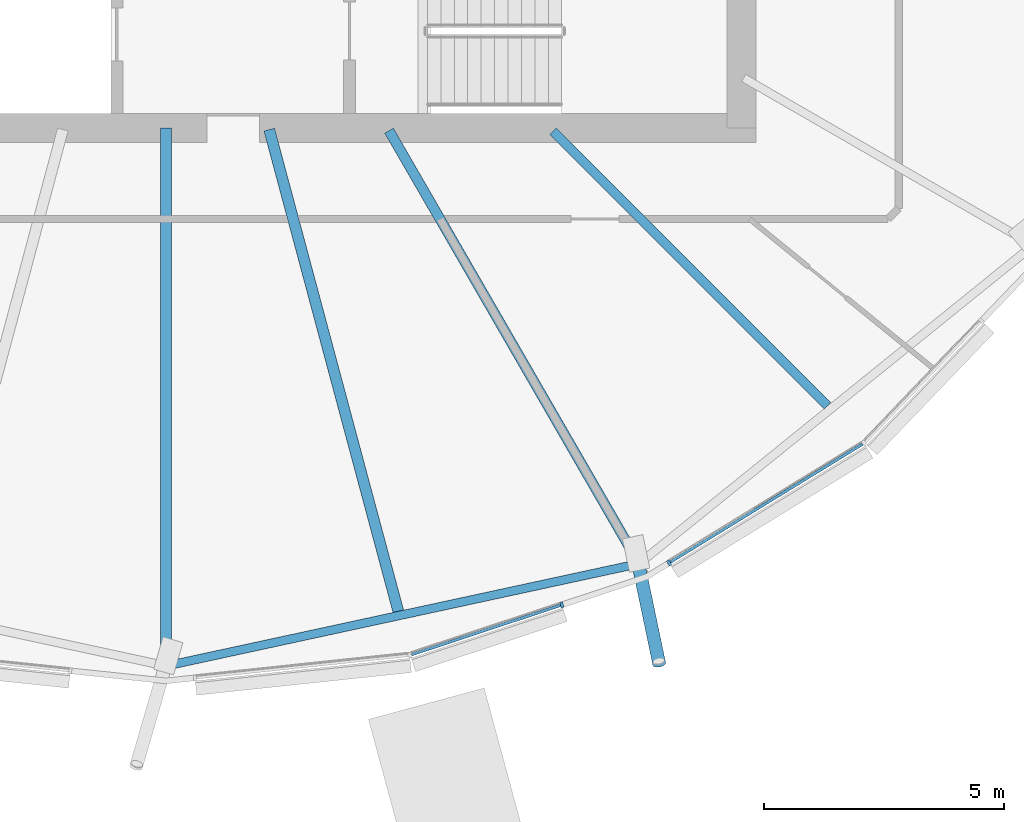
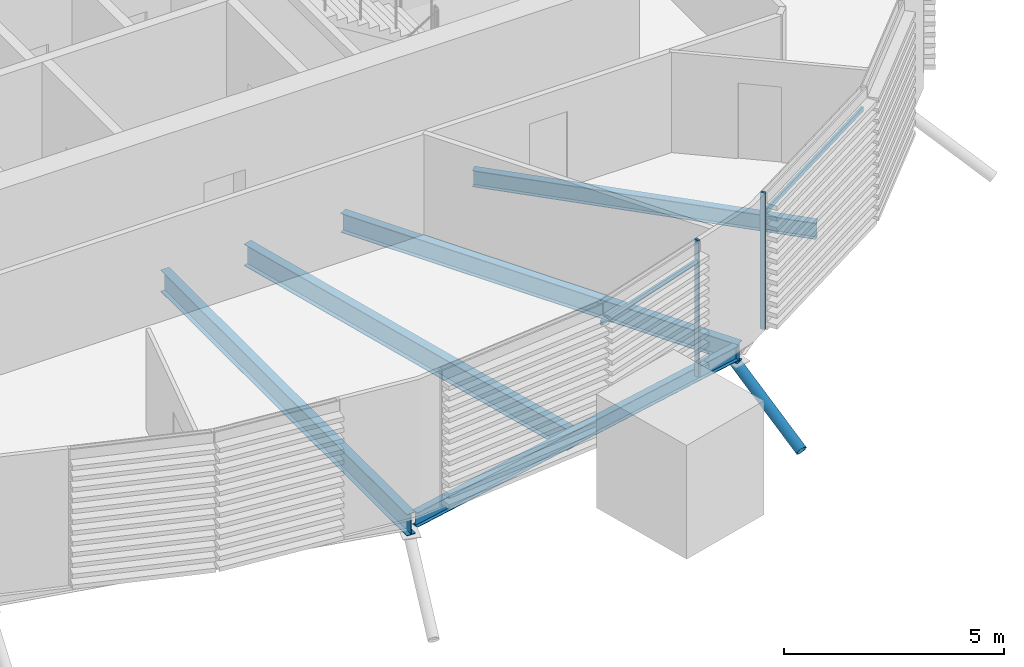
# One storey, part 4 of 38: 5 beams, 5 members, 1 element without a shape of its own.
"""IFC4 building model written with IfcOpenShell, lengths in metres."""

from ifc_helpers import new_model, si_unit, direction, frame, origin, origin_2d, place, context, subcontext, project, spatial, rectangle, hollow_circle, i_section, extrude, clip, halfspace, material, material_profile, profile_set, type_object, element, aggregate, save


model = new_model("IFC4")

# Units and contexts
model_context = context("Model", 3, precision=1e-05, world=origin(), true_north=direction((0.0, 1.0)))
body_context = subcontext(model_context, "Body", "Model", "MODEL_VIEW")
ifc_project = project(units=[si_unit("LENGTHUNIT", "METRE"), si_unit("AREAUNIT", "SQUARE_METRE"), si_unit("VOLUMEUNIT", "CUBIC_METRE"), si_unit("PLANEANGLEUNIT", "RADIAN"), si_unit("MASSUNIT", "GRAM", prefix="KILO")], contexts=[model_context])

# Site, building, storey
site_placement = place(None, origin())
site = spatial("IfcSite", under=ifc_project, at=site_placement, CompositionType="ELEMENT")
building_placement = place(site_placement, origin())
building = spatial("IfcBuilding", under=site, at=building_placement, Name="Rimbun Link Towers", CompositionType="ELEMENT")
storey_placement = place(building_placement, frame((0.0, 0.0, 185.5)))
storey = spatial("IfcBuildingStorey", under=building, at=storey_placement, Name="L45", CompositionType="ELEMENT", Elevation=185.5)

# Curtain wall, members
ifc_material_1 = material(Name="Aluminium 6063-T6 and low-iron glass", Category="aluminium")
curtain_wall_type = type_object("IfcCurtainWallType", Name="CW1-Z3 unitised vision wall (zone 3)", PredefinedType="NOTDEFINED", material=ifc_material_1)
curtain_wall_placement = place(storey_placement, origin())
curtain_wall = element("IfcCurtainWall", 1, at=curtain_wall_placement, inside=storey, type_object=curtain_wall_type, Name="CW1 L45 T1", PredefinedType="NOTDEFINED")
ifc_material_2 = material(Name="Aluminium 6063-T6", Category="aluminium")
ifc_material_profile_1 = material_profile(ifc_material_2, rectangle(XDim=0.1201171875, YDim=0.06005859375, at=origin_2d()), Name="MULLION 60X120")
ifc_profile_set_1 = profile_set([ifc_material_profile_1], Name="Aluminium 6063-T6")
member_type_1 = type_object("IfcMemberType", Name="CW1 mullion 60X120", PredefinedType="MULLION", material=ifc_profile_set_1)
member_1_placement = place(storey_placement, frame((-23.498046875, -17.9404296875, 0.0), z_axis=(0.0, 0.0, 1.0), x_axis=(0.314564968894, -0.949235945561, 0.0)))
member_1 = element("IfcMember", 2, at=member_1_placement, type_object=member_type_1, Name="CW1 mullion", PredefinedType="MULLION", context=body_context, shape_type="SweptSolid", body=[
    extrude(rectangle(XDim=0.1201171875, YDim=0.06005859375, at=origin_2d()), origin(), (0.0, 0.0, 1.0), 3.800048828125),
])
member_2_placement = place(storey_placement, frame((-21.2607421875, -17.06494140625, 0.0), z_axis=(0.0, 0.0, 1.0), x_axis=(0.523234516531, -0.852188735381, 0.0)))
member_2 = element("IfcMember", 3, at=member_2_placement, type_object=member_type_1, Name="CW1 mullion", PredefinedType="MULLION", context=body_context, shape_type="SweptSolid", body=[
    extrude(rectangle(XDim=0.1201171875, YDim=0.06005859375, at=origin_2d()), origin(), (0.0, 0.0, 1.0), 3.800048828125),
])
ifc_material_3 = material(Name="Aluminium 6063-T6", Category="aluminium")
ifc_material_profile_2 = material_profile(ifc_material_3, rectangle(XDim=0.06005859375, YDim=0.1201171875, at=origin_2d()), Name="TRANSOM 60X120")
ifc_profile_set_2 = profile_set([ifc_material_profile_2], Name="Aluminium 6063-T6")
member_type_2 = type_object("IfcMemberType", Name="CW1 transom 60X120", PredefinedType="USERDEFINED", material=ifc_profile_set_2)
member_3_placement = place(storey_placement, frame((-23.527099609375, -17.947998046875, 3.199951171875), z_axis=(-0.949234381541, -0.314569688463, 0.0), x_axis=(0.314569688463, -0.949234381541, 0.0)))
member_3 = element("IfcMember", 4, at=member_3_placement, type_object=member_type_2, Name="CW1 transom", ObjectType="TRANSOM", PredefinedType="USERDEFINED", context=body_context, shape_type="SweptSolid", body=[
    extrude(rectangle(XDim=0.06005859375, YDim=0.1201171875, at=origin_2d()), origin(), (0.0, 0.0, 1.0), 3.269775390625),
])
member_4_placement = place(storey_placement, frame((-17.225341796875, -14.5849609375, 3.199951171875), z_axis=(-0.852193949053, -0.523226024962, 0.0), x_axis=(0.523226024962, -0.852193949053, 0.0)))
member_4 = element("IfcMember", 5, at=member_4_placement, type_object=member_type_2, Name="CW1 transom", ObjectType="TRANSOM", PredefinedType="USERDEFINED", context=body_context, shape_type="SweptSolid", body=[
    extrude(rectangle(XDim=0.06005859375, YDim=0.1201171875, at=origin_2d()), origin(), (0.0, 0.0, 1.0), 4.70654296875),
])
aggregate(curtain_wall, [member_1, member_2, member_3, member_4])

# Member
ifc_material_4 = material(Name="Steel S355J2H", Category="steel")
ifc_material_profile_3 = material_profile(ifc_material_4, hollow_circle(Radius=0.136474609375, WallThickness=0.012451171875, at=origin_2d()), Name="CHS 273x12.5")
ifc_profile_set_3 = profile_set([ifc_material_profile_3], Name="Steel S355J2H")
member_type_3 = type_object("IfcMemberType", Name="Floor edge link CHS 273x12.5", PredefinedType="BRACE", material=ifc_profile_set_3)
member_5_placement = place(storey_placement, frame((-21.91357421875, -17.037109375, -0.80126953125), z_axis=(0.17797622963, -0.850504151013, -0.494941563012), x_axis=(0.978798993627, 0.204823167816, 0.0)))
element("IfcMember", 6, at=member_5_placement, inside=storey, type_object=member_type_3, Name="Floor edge link T1 L45 20", PredefinedType="BRACE", context=body_context, shape_type="Clipping", body=[
    clip(extrude(hollow_circle(Radius=0.136474609375, WallThickness=0.012451171875, at=origin_2d()), frame((0.0, 0.0, -0.49951171875)), (0.0, 0.0, 1.0), 3.00439453125), halfspace(frame((0.0, 0.0, -0.234619140625), z_axis=(0.0, 0.868926262236, -0.494941563012)), False)),
])

# Beams
ifc_material_5 = material(Name="Steel S355J2", Category="steel")
ifc_material_profile_4 = material_profile(ifc_material_5, i_section(OverallWidth=0.177978515625, OverallDepth=0.406494140625, WebThickness=0.0078125, FlangeThickness=0.0126953125, at=origin_2d()), Name="UB 406x178x60")
ifc_profile_set_4 = profile_set([ifc_material_profile_4], Name="Steel S355J2")
beam_type_1 = type_object("IfcBeamType", Name="UB 406x178x60", PredefinedType="BEAM", material=ifc_profile_set_4)
beam_1_placement = place(storey_placement, frame((-31.63525390625, -19.18896484375, -0.353271484375), z_axis=(0.977392598687, 0.211432514129, 0.0), x_axis=(-0.211432514129, 0.977392598687, 0.0)))
element("IfcBeam", 7, at=beam_1_placement, inside=storey, type_object=beam_type_1, Name="Edge beam T1 L45 18-20", PredefinedType="BEAM", context=body_context, shape_type="SweptSolid", body=[
    extrude(i_section(OverallWidth=0.177978515625, OverallDepth=0.406494140625, WebThickness=0.0078125, FlangeThickness=0.0126953125, at=origin_2d()), origin(), (0.0, 0.0, 1.0), 9.861083984375),
])
ifc_material_6 = material(Name="Steel S355J2", Category="steel")
ifc_material_profile_5 = material_profile(ifc_material_6, i_section(OverallWidth=0.18994140625, OverallDepth=0.453369140625, WebThickness=0.008544921875, FlangeThickness=0.0126953125, at=origin_2d()), Name="UB 457x191x67")
ifc_profile_set_5 = profile_set([ifc_material_profile_5], Name="Steel S355J2")
beam_type_2 = type_object("IfcBeamType", Name="UB 457x191x67", PredefinedType="BEAM", material=ifc_profile_set_5)
beam_2_placement = place(storey_placement, frame((-23.68212890625, -8.06787109375, -0.376708984375), z_axis=(0.707106781187, -0.707106781187, 0.0), x_axis=(0.707106781187, 0.707106781187, 0.0)))
element("IfcBeam", 8, at=beam_2_placement, inside=storey, type_object=beam_type_2, Name="Radial beam T1 L45 21", PredefinedType="BEAM", context=body_context, shape_type="SweptSolid", body=[
    extrude(i_section(OverallWidth=0.18994140625, OverallDepth=0.453369140625, WebThickness=0.008544921875, FlangeThickness=0.0126953125, at=origin_2d()), origin(), (0.0, 0.0, 1.0), 8.094482421875),
])
ifc_material_7 = material(Name="Steel S355J2", Category="steel")
ifc_material_profile_6 = material_profile(ifc_material_7, i_section(OverallWidth=0.209228515625, OverallDepth=0.533203125, WebThickness=0.010009765625, FlangeThickness=0.015625, at=origin_2d()), Name="UB 533x210x92")
ifc_profile_set_6 = profile_set([ifc_material_profile_6], Name="Steel S355J2")
beam_type_3 = type_object("IfcBeamType", Name="UB 533x210x92", PredefinedType="BEAM", material=ifc_profile_set_6)
beam_3_placement = place(storey_placement, frame((-27.1005859375, -8.05322265625, -0.41650390625), z_axis=(0.499998180979, -0.866026453994, 0.0), x_axis=(0.866026453994, 0.499998180979, 0.0)))
element("IfcBeam", 9, at=beam_3_placement, inside=storey, type_object=beam_type_3, Name="Radial beam T1 L45 20", PredefinedType="BEAM", context=body_context, shape_type="SweptSolid", body=[
    extrude(i_section(OverallWidth=0.209228515625, OverallDepth=0.533203125, WebThickness=0.010009765625, FlangeThickness=0.015625, at=origin_2d()), origin(), (0.0, 0.0, 1.0), 10.423828125),
])
ifc_material_8 = material(Name="Steel S355J2", Category="steel")
ifc_material_profile_7 = material_profile(ifc_material_8, i_section(OverallWidth=0.2275390625, OverallDepth=0.6025390625, WebThickness=0.010498046875, FlangeThickness=0.014892578125, at=origin_2d()), Name="UB 610x229x101")
ifc_profile_set_7 = profile_set([ifc_material_profile_7], Name="Steel S355J2")
beam_type_4 = type_object("IfcBeamType", Name="UB 610x229x101", PredefinedType="BEAM", material=ifc_profile_set_7)
beam_4_placement = place(storey_placement, frame((-31.75, -8.0009765625, -0.451416015625), z_axis=(0.0, -1.0, 0.0), x_axis=(1.0, 0.0, 0.0)))
element("IfcBeam", 10, at=beam_4_placement, inside=storey, type_object=beam_type_4, Name="Radial beam T1 L45 18", PredefinedType="BEAM", context=body_context, shape_type="SweptSolid", body=[
    extrude(i_section(OverallWidth=0.2275390625, OverallDepth=0.6025390625, WebThickness=0.010498046875, FlangeThickness=0.014892578125, at=origin_2d()), origin(), (0.0, 0.0, 1.0), 11.212890625),
])
beam_5_placement = place(storey_placement, frame((-29.598388671875, -8.030517578125, -0.451416015625), z_axis=(0.258837406585, -0.965920906158, 0.0), x_axis=(0.965920906158, 0.258837406585, 0.0)))
element("IfcBeam", 11, at=beam_5_placement, inside=storey, type_object=beam_type_4, Name="Radial beam T1 L45 19", PredefinedType="BEAM", context=body_context, shape_type="SweptSolid", body=[
    extrude(i_section(OverallWidth=0.2275390625, OverallDepth=0.6025390625, WebThickness=0.010498046875, FlangeThickness=0.014892578125, at=origin_2d()), origin(), (0.0, 0.0, 1.0), 10.39794921875),
])

save(model, "model.ifc")
